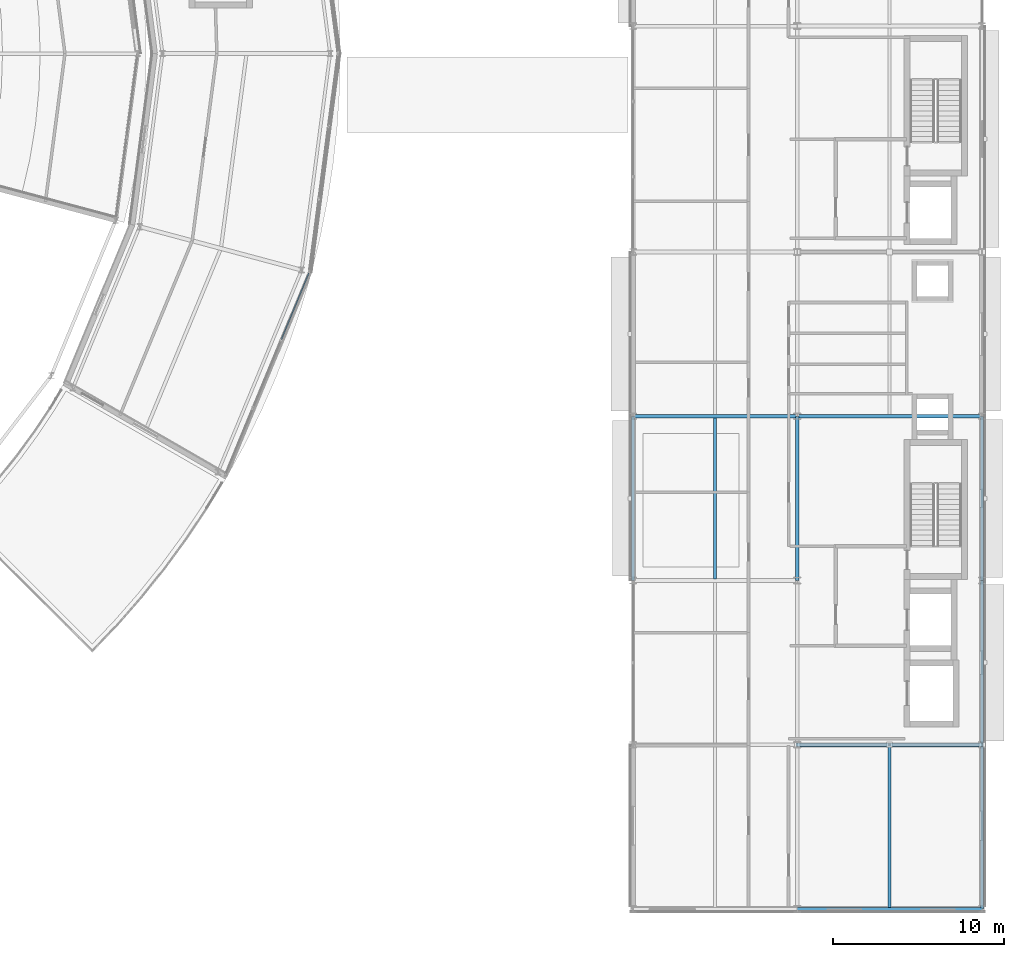
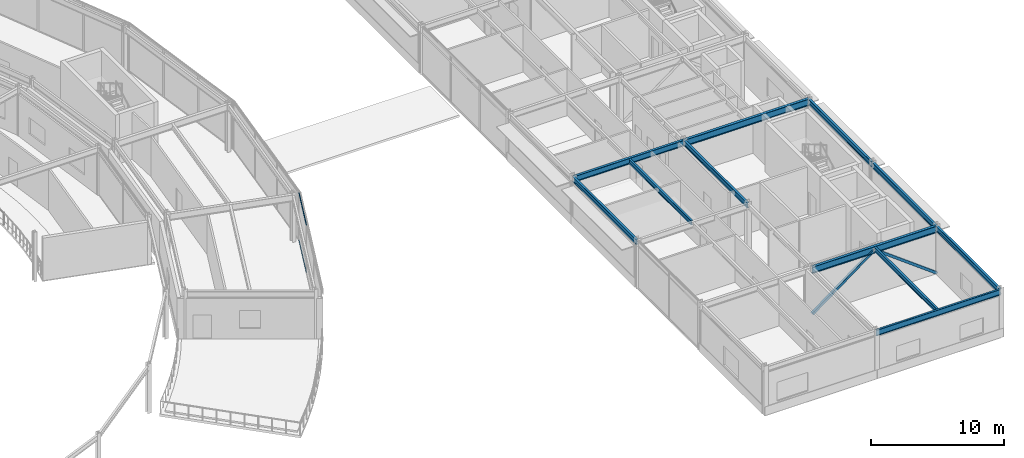
# One storey, part 82 of 133: 11 beams, 4 members, 1 element without a shape of its own.
"""IFC4 building model written with IfcOpenShell, lengths in metres."""

from ifc_helpers import new_model, si_unit, direction, frame, origin, origin_2d, place, context, subcontext, project, spatial, hollow_rectangle, i_section, extrude, material, material_profile, profile_set, type_object, element, aggregate, save


model = new_model("IFC4")

# Units and contexts
model_context = context("Model", 3, precision=1e-05, world=origin(), true_north=direction((0.0, 1.0)))
body_context = subcontext(model_context, "Body", "Model", "MODEL_VIEW")
ifc_project = project(units=[si_unit("LENGTHUNIT", "METRE"), si_unit("AREAUNIT", "SQUARE_METRE"), si_unit("VOLUMEUNIT", "CUBIC_METRE"), si_unit("PLANEANGLEUNIT", "RADIAN"), si_unit("MASSUNIT", "GRAM", prefix="KILO")], contexts=[model_context])

# Site, building, storey
site_placement = place(None, origin())
site = spatial("IfcSite", under=ifc_project, at=site_placement, CompositionType="ELEMENT")
building_placement = place(site_placement, origin())
building = spatial("IfcBuilding", under=site, at=building_placement, Name="Almandine Court Research Institute", CompositionType="ELEMENT")
storey_placement = place(building_placement, frame((0.0, 0.0, 9.800048828125)))
storey = spatial("IfcBuildingStorey", under=building, at=storey_placement, Name="L02", CompositionType="ELEMENT", Elevation=9.800048828125)

# Beams
ifc_material_1 = material(Name="Steel ASTM A992 Grade 50", Category="steel")
ifc_material_profile_1 = material_profile(ifc_material_1, i_section(OverallWidth=0.18994140625, OverallDepth=0.45703125, WebThickness=0.009033203125, FlangeThickness=0.014892578125, at=origin_2d()), Name="W460x74")
ifc_profile_set_1 = profile_set([ifc_material_profile_1], Name="Steel ASTM A992 Grade 50")
beam_type_1 = type_object("IfcBeamType", Name="Beam-B-01", PredefinedType="BEAM", material=ifc_profile_set_1)
for number, where, z_axis, x_axis, name in (
    (1, (153.60009765625, 25.199951171875, 4.140869140625), (0.0, 1.0, 0.0), (-1.0, 0.0, 0.0), "L02 V4 Primary Y Girder"),
    (2, (163.199951171875, 25.199951171875, 4.140869140625), (0.0, 1.0, 0.0), (-1.0, 0.0, 0.0), "L02 V4 Primary Y Girder"),
):
    element("IfcBeam", number, at=place(storey_placement, frame(where, z_axis=z_axis, x_axis=x_axis)), inside=storey, type_object=beam_type_1, Name=name, PredefinedType="BEAM", context=body_context, shape_type="SweptSolid", body=[
        extrude(i_section(OverallWidth=0.18994140625, OverallDepth=0.45703125, WebThickness=0.009033203125, FlangeThickness=0.014892578125, at=origin_2d()), origin(), (0.0, 0.0, 1.0), 9.60009765625),
    ])
ifc_material_profile_2 = material_profile(ifc_material_1, i_section(OverallWidth=0.178955078125, OverallDepth=0.409912109375, WebThickness=0.009033203125, FlangeThickness=0.013916015625, at=origin_2d()), Name="W410x67")
ifc_profile_set_2 = profile_set([ifc_material_profile_2], Name="Steel ASTM A992 Grade 50")
beam_type_2 = type_object("IfcBeamType", Name="Beam-B-02", PredefinedType="JOIST", material=ifc_profile_set_2)
beam_1_placement = place(storey_placement, frame((168.60009765625, 6.0810546875, 4.1650390625), z_axis=(0.0, 1.0, 0.0), x_axis=(-1.0, 0.0, 0.0)))
element("IfcBeam", 3, at=beam_1_placement, inside=storey, type_object=beam_type_2, Name="L02 V4 Composite Secondary Beam", PredefinedType="JOIST", context=body_context, shape_type="SweptSolid", body=[
    extrude(i_section(OverallWidth=0.178955078125, OverallDepth=0.409912109375, WebThickness=0.009033203125, FlangeThickness=0.013916015625, at=origin_2d()), origin(), (0.0, 0.0, 1.0), 9.406005859375),
])
beam_2_placement = place(storey_placement, frame((158.39990234375, 25.302978515625, 4.1650390625), z_axis=(0.0, 1.0, 0.0), x_axis=(-1.0, 0.0, 0.0)))
element("IfcBeam", 4, at=beam_2_placement, inside=storey, type_object=beam_type_2, Name="L02 V4 Composite Secondary Beam", PredefinedType="JOIST", context=body_context, shape_type="SweptSolid", body=[
    extrude(i_section(OverallWidth=0.178955078125, OverallDepth=0.409912109375, WebThickness=0.009033203125, FlangeThickness=0.013916015625, at=origin_2d()), origin(), (0.0, 0.0, 1.0), 9.39404296875),
])
ifc_material_profile_3 = material_profile(ifc_material_1, i_section(OverallWidth=0.22998046875, OverallDepth=0.616943359375, WebThickness=0.012939453125, FlangeThickness=0.02197265625, at=origin_2d()), Name="W610x140")
ifc_profile_set_3 = profile_set([ifc_material_profile_3], Name="Steel ASTM A992 Grade 50")
beam_type_3 = type_object("IfcBeamType", Name="Beam-G-02", PredefinedType="BEAM", material=ifc_profile_set_3)
for number, where, z_axis, x_axis, name in (
    (5, (163.199951171875, 15.60009765625, 4.06103515625), (1.0, 0.0, 0.0), (0.0, 1.0, 0.0), "L02 V4 Primary X Girder"),
    (6, (163.199951171875, 34.800048828125, 4.06103515625), (1.0, 0.0, 0.0), (0.0, 1.0, 0.0), "L02 V4 Primary X Girder"),
):
    element("IfcBeam", number, at=place(storey_placement, frame(where, z_axis=z_axis, x_axis=x_axis)), inside=storey, type_object=beam_type_3, Name=name, PredefinedType="BEAM", context=body_context, shape_type="SweptSolid", body=[
        extrude(i_section(OverallWidth=0.22998046875, OverallDepth=0.616943359375, WebThickness=0.012939453125, FlangeThickness=0.02197265625, at=origin_2d()), origin(), (0.0, 0.0, 1.0), 10.800048828125),
    ])
ifc_material_profile_4 = material_profile(ifc_material_1, i_section(OverallWidth=0.2109375, OverallDepth=0.5390625, WebThickness=0.011962890625, FlangeThickness=0.01904296875, at=origin_2d()), Name="W530x109")
ifc_profile_set_4 = profile_set([ifc_material_profile_4], Name="Steel ASTM A992 Grade 50")
beam_type_4 = type_object("IfcBeamType", Name="Beam-G-04", PredefinedType="BEAM", material=ifc_profile_set_4)
beam_3_placement = place(storey_placement, frame((153.60009765625, 34.800048828125, 4.099853515625), z_axis=(1.0, 0.0, 0.0), x_axis=(0.0, 1.0, 0.0)))
element("IfcBeam", 7, at=beam_3_placement, inside=storey, type_object=beam_type_4, Name="L02 V4 Primary X Girder", PredefinedType="BEAM", context=body_context, shape_type="SweptSolid", body=[
    extrude(i_section(OverallWidth=0.2109375, OverallDepth=0.5390625, WebThickness=0.011962890625, FlangeThickness=0.01904296875, at=origin_2d()), origin(), (0.0, 0.0, 1.0), 9.599853515625),
])
ifc_material_profile_5 = material_profile(ifc_material_1, i_section(OverallWidth=0.166015625, OverallDepth=0.534912109375, WebThickness=0.010009765625, FlangeThickness=0.01708984375, at=origin_2d()), Name="W530x85")
ifc_profile_set_5 = profile_set([ifc_material_profile_5], Name="Steel ASTM A992 Grade 50")
beam_type_5 = type_object("IfcBeamType", Name="Beam-G-05-E", PredefinedType="SPANDREL", material=ifc_profile_set_5)
beam_4_placement = place(storey_placement, frame((163.199951171875, 6.0, 4.10205078125), z_axis=(1.0, 0.0, 0.0), x_axis=(0.0, 1.0, 0.0)))
element("IfcBeam", 8, at=beam_4_placement, inside=storey, type_object=beam_type_5, Name="L02 V4 Primary X Girder", PredefinedType="SPANDREL", context=body_context, shape_type="SweptSolid", body=[
    extrude(i_section(OverallWidth=0.166015625, OverallDepth=0.534912109375, WebThickness=0.010009765625, FlangeThickness=0.01708984375, at=origin_2d()), origin(), (0.0, 0.0, 1.0), 10.800048828125),
])
ifc_material_profile_6 = material_profile(ifc_material_1, i_section(OverallWidth=0.193115234375, OverallDepth=0.466064453125, WebThickness=0.010986328125, FlangeThickness=0.01904296875, at=origin_2d()), Name="W460x97")
ifc_profile_set_6 = profile_set([ifc_material_profile_6], Name="Steel ASTM A992 Grade 50")
beam_type_6 = type_object("IfcBeamType", Name="Beam-G-06-E", PredefinedType="SPANDREL", material=ifc_profile_set_6)
beam_5_placement = place(storey_placement, frame((174.0, 6.0, 4.136962890625), z_axis=(0.0, 1.0, 0.0), x_axis=(-1.0, 0.0, 0.0)))
element("IfcBeam", 9, at=beam_5_placement, inside=storey, type_object=beam_type_6, Name="L02 V4 Primary Y Girder", PredefinedType="SPANDREL", context=body_context, shape_type="SweptSolid", body=[
    extrude(i_section(OverallWidth=0.193115234375, OverallDepth=0.466064453125, WebThickness=0.010986328125, FlangeThickness=0.01904296875, at=origin_2d()), origin(), (0.0, 0.0, 1.0), 9.60009765625),
])
beam_6_placement = place(storey_placement, frame((174.0, 15.60009765625, 4.136962890625), z_axis=(0.0, 1.0, 0.0), x_axis=(-1.0, 0.0, 0.0)))
element("IfcBeam", 10, at=beam_6_placement, inside=storey, type_object=beam_type_6, Name="L02 V4 Primary Y Girder", PredefinedType="SPANDREL", context=body_context, shape_type="SweptSolid", body=[
    extrude(i_section(OverallWidth=0.193115234375, OverallDepth=0.466064453125, WebThickness=0.010986328125, FlangeThickness=0.01904296875, at=origin_2d()), origin(), (0.0, 0.0, 1.0), 9.599853515625),
])
beam_7_placement = place(storey_placement, frame((174.0, 25.199951171875, 4.136962890625), z_axis=(0.0, 1.0, 0.0), x_axis=(-1.0, 0.0, 0.0)))
element("IfcBeam", 11, at=beam_7_placement, inside=storey, type_object=beam_type_6, Name="L02 V4 Primary Y Girder", PredefinedType="SPANDREL", context=body_context, shape_type="SweptSolid", body=[
    extrude(i_section(OverallWidth=0.193115234375, OverallDepth=0.466064453125, WebThickness=0.010986328125, FlangeThickness=0.01904296875, at=origin_2d()), origin(), (0.0, 0.0, 1.0), 9.60009765625),
])

# Curtain wall, members
ifc_material_2 = material(Name="Unitised Curtain Wall Framing and Solar Glazing", Category="glass")
curtain_wall_type = type_object("IfcCurtainWallType", Name="CW-CWJ-19", PredefinedType="USERDEFINED", material=ifc_material_2)
curtain_wall_placement = place(storey_placement, origin())
curtain_wall = element("IfcCurtainWall", 12, at=curtain_wall_placement, inside=storey, type_object=curtain_wall_type, Name="L02 Stacked-Ring Drum Outer Solar Jali Screen 22", ObjectType="SOLAR JALI SCREEN", PredefinedType="USERDEFINED")
ifc_material_3 = material(Name="Anodised Aluminium AW-6063-T6", Category="aluminium")
ifc_material_profile_7 = material_profile(ifc_material_3, hollow_rectangle(XDim=0.06494140625, YDim=0.1298828125, WallThickness=0.00390625, at=origin_2d()), Name="ALU RHS 65x130x4")
ifc_profile_set_7 = profile_set([ifc_material_profile_7], Name="Anodised Aluminium AW-6063-T6")
member_type_1 = type_object("IfcMemberType", Name="CWTrn-65x130", PredefinedType="NOTDEFINED", material=ifc_profile_set_7)
member_1_placement = place(storey_placement, frame((134.652099609375, 43.160888671875, 0.032470703125), z_axis=(-0.382631051398, -0.923901227679, 0.0), x_axis=(0.923901227679, -0.382631051398, 0.0)))
member_1 = element("IfcMember", 13, at=member_1_placement, type_object=member_type_1, Name="CWJ-19 transom 1.1", ObjectType="TRANSOM", PredefinedType="USERDEFINED", context=body_context, shape_type="SweptSolid", body=[
    extrude(hollow_rectangle(XDim=0.06494140625, YDim=0.1298828125, WallThickness=0.00390625, at=origin_2d()), origin(), (0.0, 0.0, 1.0), 4.1953125),
])
member_2_placement = place(storey_placement, frame((134.652099609375, 43.160888671875, 4.33740234375), z_axis=(-0.382631051398, -0.923901227679, 0.0), x_axis=(0.923901227679, -0.382631051398, 0.0)))
member_2 = element("IfcMember", 14, at=member_2_placement, type_object=member_type_1, Name="CWJ-19 transom 1.2", ObjectType="TRANSOM", PredefinedType="USERDEFINED", context=body_context, shape_type="SweptSolid", body=[
    extrude(hollow_rectangle(XDim=0.06494140625, YDim=0.1298828125, WallThickness=0.00390625, at=origin_2d()), origin(), (0.0, 0.0, 1.0), 4.1953125),
])
aggregate(curtain_wall, [member_1, member_2])

# Members
ifc_material_4 = material(Name="Steel ASTM A500 Grade C", Category="steel")
ifc_material_profile_8 = material_profile(ifc_material_4, hollow_rectangle(XDim=0.219970703125, YDim=0.219970703125, WallThickness=0.010009765625, at=origin_2d()), Name="HSS 220x220x10")
ifc_profile_set_8 = profile_set([ifc_material_profile_8], Name="Steel ASTM A500 Grade C")
member_type_2 = type_object("IfcMemberType", Name="Mem-BF-BR1", PredefinedType="BRACE", material=ifc_profile_set_8)
for number, where, z_axis, x_axis, name in (
    (15, (163.199951171875, 15.60009765625, 0.02001953125), (0.801428188232, 0.0, 0.598091012394), (0.0, 1.0, 0.0), "L02 Seismic Chevron Brace V4-BF1 Left"),
    (16, (174.0, 15.60009765625, 0.02001953125), (-0.801415226812, 0.0, 0.598108380007), (0.0, -1.0, 0.0), "L02 Seismic Chevron Brace V4-BF1 Right"),
):
    element("IfcMember", number, at=place(storey_placement, frame(where, z_axis=z_axis, x_axis=x_axis)), inside=storey, type_object=member_type_2, Name=name, PredefinedType="BRACE", context=body_context, shape_type="SweptSolid", body=[
        extrude(hollow_rectangle(XDim=0.219970703125, YDim=0.219970703125, WallThickness=0.010009765625, at=origin_2d()), origin(), (0.0, 0.0, 1.0), 6.738037109375),
    ])

save(model, "model.ifc")
